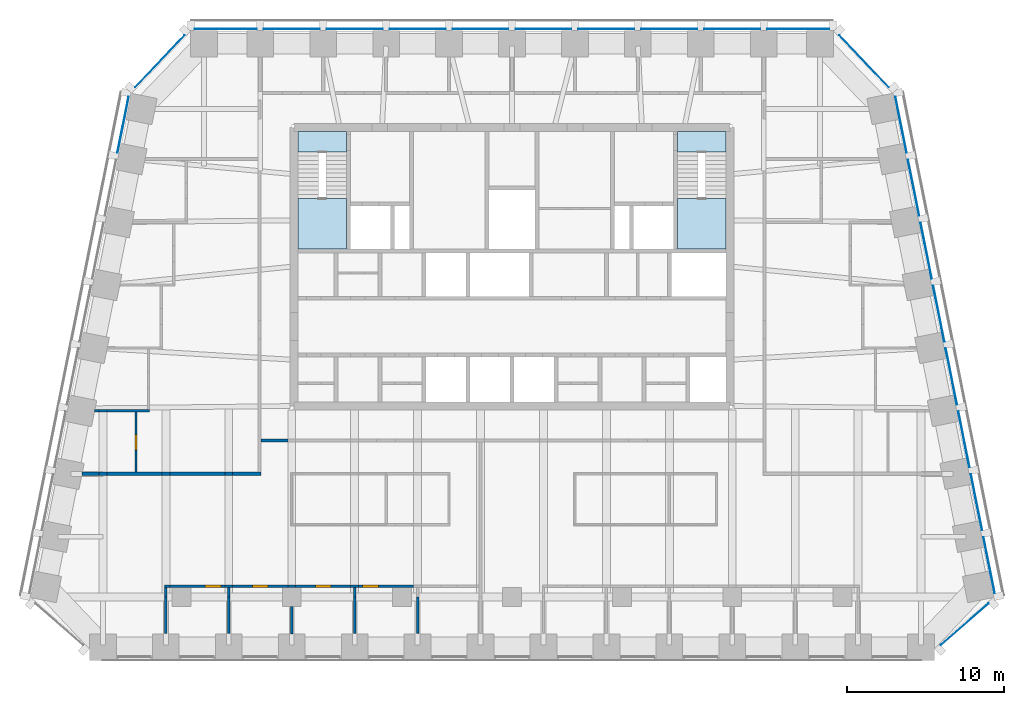
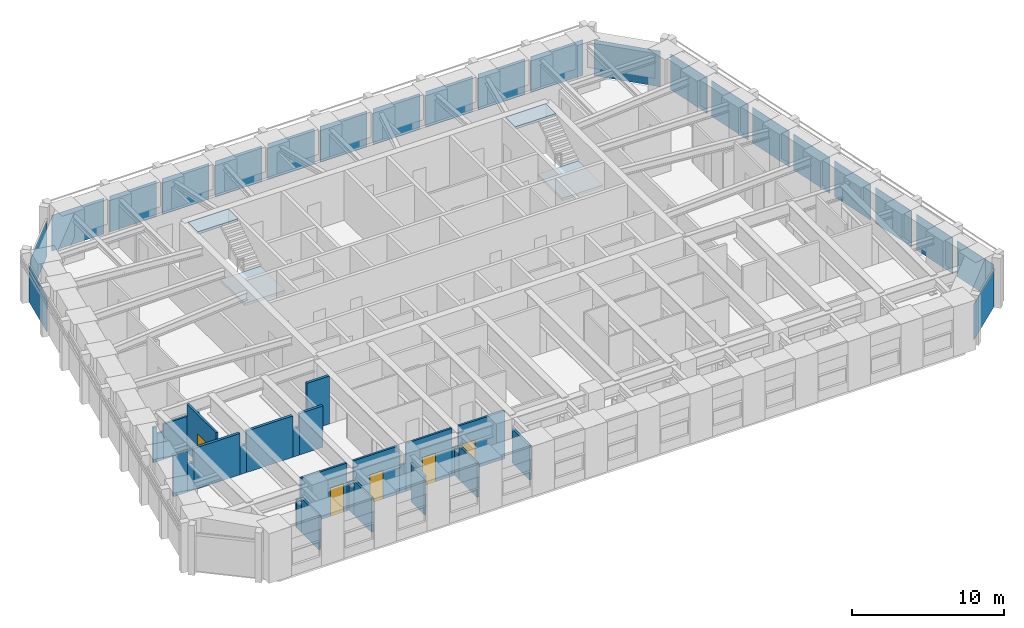
# One storey, part 4 of 13: 28 walls, 22 plates, 5 doors, 4 slabs, 5 openings, 8 elements without a shape of their own.
"""IFC4 building model written with IfcOpenShell, lengths in metres."""

from ifc_helpers import new_model, si_unit, direction, frame, frame_2d, origin, origin_2d, place, context, subcontext, project, spatial, polyline, rectangle, outline, extrude, material, layer, layer_set, type_object, element, fill, aggregate, save


model = new_model("IFC4")

# Units and contexts
model_context = context("Model", 3, precision=1e-05, world=origin(), true_north=direction((0.0, 1.0)))
body_context = subcontext(model_context, "Body", "Model", "MODEL_VIEW")
ifc_project = project(units=[si_unit("LENGTHUNIT", "METRE"), si_unit("AREAUNIT", "SQUARE_METRE"), si_unit("VOLUMEUNIT", "CUBIC_METRE"), si_unit("PLANEANGLEUNIT", "RADIAN"), si_unit("MASSUNIT", "GRAM", prefix="KILO")], contexts=[model_context])

# Site, building, storey
site_placement = place(None, origin())
site = spatial("IfcSite", under=ifc_project, at=site_placement, CompositionType="ELEMENT")
building_placement = place(site_placement, origin())
building = spatial("IfcBuilding", under=site, at=building_placement, Name="Isbrekke Arena Tower", CompositionType="ELEMENT")
storey_placement = place(building_placement, frame((0.0, 0.0, 280.0)))
storey = spatial("IfcBuildingStorey", under=building, at=storey_placement, Name="L65", CompositionType="ELEMENT", Elevation=280.0)

# Curtain wall, plate
ifc_material_1 = material(Name="Glazed aluminium curtain wall", Category="aluminium")
curtain_wall_type = type_object("IfcCurtainWallType", Name="CWT TOWER CURTAIN WALL TOP ZONE", PredefinedType="USERDEFINED", material=ifc_material_1)
curtain_wall_1_placement = place(storey_placement, origin())
curtain_wall_1 = element("IfcCurtainWall", 1, at=curtain_wall_1_placement, inside=storey, type_object=curtain_wall_type, Name="CWT curtain wall L65-SE", ObjectType="TOWER CURTAIN WALL TOP ZONE", PredefinedType="USERDEFINED")
ifc_material_2 = material(Name="Triple-glazed clear glass unit", Category="glass")
ifc_layer_1 = layer(ifc_material_2, 0.031982421875)
ifc_layer_set_1 = layer_set([ifc_layer_1], Name="CWT-P VISION PANEL")
plate_type = type_object("IfcPlateType", Name="CWT-P VISION PANEL", PredefinedType="CURTAIN_PANEL", material=ifc_layer_set_1)
plate_1_placement = place(storey_placement, frame((28.7724609375, -7.7216796875, 0.02001953125), z_axis=(0.0, 0.0, 1.0), x_axis=(0.754605522159, 0.65617871493, 0.0)))
plate_1 = element("IfcPlate", 2, at=plate_1_placement, type_object=plate_type, Name="CWT-P panel 1", PredefinedType="CURTAIN_PANEL", context=body_context, shape_type="SweptSolid", body=[
    extrude(rectangle(XDim=4.0283203125, YDim=0.031982421875, at=origin_2d()), origin(), (0.0, 0.0, 1.0), 2.8798828125),
])
aggregate(curtain_wall_1, [plate_1])

# Curtain wall, plates
curtain_wall_2_placement = place(storey_placement, origin())
curtain_wall_2 = element("IfcCurtainWall", 3, at=curtain_wall_2_placement, inside=storey, type_object=curtain_wall_type, Name="CWT curtain wall L65-E", ObjectType="TOWER CURTAIN WALL TOP ZONE", PredefinedType="USERDEFINED")
plate_2_placement = place(storey_placement, frame((30.322509765625, -3.9755859375, 0.02001953125), z_axis=(0.0, 0.0, 1.0), x_axis=(-0.196116135138, 0.980580675691, 0.0)))
plate_2 = element("IfcPlate", 4, at=plate_2_placement, type_object=plate_type, Name="CWT-P panel 1", PredefinedType="CURTAIN_PANEL", context=body_context, shape_type="SweptSolid", body=[
    extrude(rectangle(XDim=3.629150390625, YDim=0.031982421875, at=origin_2d()), origin(), (0.0, 0.0, 1.0), 2.8798828125),
])
plate_3_placement = place(storey_placement, frame((29.5224609375, 0.0244140625, 0.02001953125), z_axis=(0.0, 0.0, 1.0), x_axis=(-0.196116135138, 0.980580675691, 0.0)))
plate_3 = element("IfcPlate", 5, at=plate_3_placement, type_object=plate_type, Name="CWT-P panel 2", PredefinedType="CURTAIN_PANEL", context=body_context, shape_type="SweptSolid", body=[
    extrude(rectangle(XDim=3.629150390625, YDim=0.031982421875, at=origin_2d()), origin(), (0.0, 0.0, 1.0), 2.8798828125),
])
plate_4_placement = place(storey_placement, frame((28.72265625, 4.0244140625, 0.02001953125), z_axis=(0.0, 0.0, 1.0), x_axis=(-0.196116135138, 0.980580675691, 0.0)))
plate_4 = element("IfcPlate", 6, at=plate_4_placement, type_object=plate_type, Name="CWT-P panel 3", PredefinedType="CURTAIN_PANEL", context=body_context, shape_type="SweptSolid", body=[
    extrude(rectangle(XDim=3.629150390625, YDim=0.031982421875, at=origin_2d()), origin(), (0.0, 0.0, 1.0), 2.8798828125),
])
plate_5_placement = place(storey_placement, frame((27.922607421875, 8.0244140625, 0.02001953125), z_axis=(0.0, 0.0, 1.0), x_axis=(-0.196116135138, 0.980580675691, 0.0)))
plate_5 = element("IfcPlate", 7, at=plate_5_placement, type_object=plate_type, Name="CWT-P panel 4", PredefinedType="CURTAIN_PANEL", context=body_context, shape_type="SweptSolid", body=[
    extrude(rectangle(XDim=3.629150390625, YDim=0.031982421875, at=origin_2d()), origin(), (0.0, 0.0, 1.0), 2.8798828125),
])
plate_6_placement = place(storey_placement, frame((27.12255859375, 12.0244140625, 0.02001953125), z_axis=(0.0, 0.0, 1.0), x_axis=(-0.196116135138, 0.980580675691, 0.0)))
plate_6 = element("IfcPlate", 8, at=plate_6_placement, type_object=plate_type, Name="CWT-P panel 5", PredefinedType="CURTAIN_PANEL", context=body_context, shape_type="SweptSolid", body=[
    extrude(rectangle(XDim=3.629150390625, YDim=0.031982421875, at=origin_2d()), origin(), (0.0, 0.0, 1.0), 2.8798828125),
])
plate_7_placement = place(storey_placement, frame((26.322509765625, 16.0244140625, 0.02001953125), z_axis=(0.0, 0.0, 1.0), x_axis=(-0.196116135138, 0.980580675691, 0.0)))
plate_7 = element("IfcPlate", 9, at=plate_7_placement, type_object=plate_type, Name="CWT-P panel 6", PredefinedType="CURTAIN_PANEL", context=body_context, shape_type="SweptSolid", body=[
    extrude(rectangle(XDim=3.629150390625, YDim=0.031982421875, at=origin_2d()), origin(), (0.0, 0.0, 1.0), 2.8798828125),
])
plate_8_placement = place(storey_placement, frame((25.5224609375, 20.0244140625, 0.02001953125), z_axis=(0.0, 0.0, 1.0), x_axis=(-0.196116135138, 0.980580675691, 0.0)))
plate_8 = element("IfcPlate", 10, at=plate_8_placement, type_object=plate_type, Name="CWT-P panel 7", PredefinedType="CURTAIN_PANEL", context=body_context, shape_type="SweptSolid", body=[
    extrude(rectangle(XDim=3.629150390625, YDim=0.031982421875, at=origin_2d()), origin(), (0.0, 0.0, 1.0), 2.8798828125),
])
plate_9_placement = place(storey_placement, frame((24.72265625, 24.0244140625, 0.02001953125), z_axis=(0.0, 0.0, 1.0), x_axis=(-0.196116135138, 0.980580675691, 0.0)))
plate_9 = element("IfcPlate", 11, at=plate_9_placement, type_object=plate_type, Name="CWT-P panel 8", PredefinedType="CURTAIN_PANEL", context=body_context, shape_type="SweptSolid", body=[
    extrude(rectangle(XDim=3.629150390625, YDim=0.031982421875, at=origin_2d()), origin(), (0.0, 0.0, 1.0), 2.8798828125),
])
aggregate(curtain_wall_2, [plate_2, plate_3, plate_4, plate_5, plate_6, plate_7, plate_8, plate_9])

# Curtain wall, plate
curtain_wall_3_placement = place(storey_placement, origin())
curtain_wall_3 = element("IfcCurtainWall", 12, at=curtain_wall_3_placement, inside=storey, type_object=curtain_wall_type, Name="CWT curtain wall L65-EN", ObjectType="TOWER CURTAIN WALL TOP ZONE", PredefinedType="USERDEFINED")
plate_10_placement = place(storey_placement, frame((22.374755859375, 28.06640625, 0.02001953125), z_axis=(0.0, 0.0, 1.0), x_axis=(-0.68874946192, 0.72499943359, 0.0)))
plate_10 = element("IfcPlate", 13, at=plate_10_placement, type_object=plate_type, Name="CWT-P panel 1", PredefinedType="CURTAIN_PANEL", context=body_context, shape_type="SweptSolid", body=[
    extrude(rectangle(XDim=4.558349609375, YDim=0.031982421875, at=origin_2d()), origin(), (0.0, 0.0, 1.0), 2.8798828125),
])
aggregate(curtain_wall_3, [plate_10])

# Curtain wall, plates
curtain_wall_4_placement = place(storey_placement, origin())
curtain_wall_4 = element("IfcCurtainWall", 14, at=curtain_wall_4_placement, inside=storey, type_object=curtain_wall_type, Name="CWT curtain wall L65-N", ObjectType="TOWER CURTAIN WALL TOP ZONE", PredefinedType="USERDEFINED")
plate_11_placement = place(storey_placement, frame((18.199951171875, 30.125, 0.02001953125), z_axis=(0.0, 0.0, 1.0), x_axis=(-1.0, 0.0, 0.0)))
plate_11 = element("IfcPlate", 15, at=plate_11_placement, type_object=plate_type, Name="CWT-P panel 1", PredefinedType="CURTAIN_PANEL", context=body_context, shape_type="SweptSolid", body=[
    extrude(rectangle(XDim=3.949951171875, YDim=0.031982421875, at=origin_2d()), origin(), (0.0, 0.0, 1.0), 2.8798828125),
])
plate_12_placement = place(storey_placement, frame((14.0, 30.125, 0.02001953125), z_axis=(0.0, 0.0, 1.0), x_axis=(-1.0, 0.0, 0.0)))
plate_12 = element("IfcPlate", 16, at=plate_12_placement, type_object=plate_type, Name="CWT-P panel 2", PredefinedType="CURTAIN_PANEL", context=body_context, shape_type="SweptSolid", body=[
    extrude(rectangle(XDim=3.550048828125, YDim=0.031982421875, at=origin_2d()), origin(), (0.0, 0.0, 1.0), 2.8798828125),
])
plate_13_placement = place(storey_placement, frame((10.0, 30.125, 0.02001953125), z_axis=(0.0, 0.0, 1.0), x_axis=(-1.0, 0.0, 0.0)))
plate_13 = element("IfcPlate", 17, at=plate_13_placement, type_object=plate_type, Name="CWT-P panel 3", PredefinedType="CURTAIN_PANEL", context=body_context, shape_type="SweptSolid", body=[
    extrude(rectangle(XDim=3.550048828125, YDim=0.031982421875, at=origin_2d()), origin(), (0.0, 0.0, 1.0), 2.8798828125),
])
plate_14_placement = place(storey_placement, frame((6.0, 30.125, 0.02001953125), z_axis=(0.0, 0.0, 1.0), x_axis=(-1.0, 0.0, 0.0)))
plate_14 = element("IfcPlate", 18, at=plate_14_placement, type_object=plate_type, Name="CWT-P panel 4", PredefinedType="CURTAIN_PANEL", context=body_context, shape_type="SweptSolid", body=[
    extrude(rectangle(XDim=3.550048828125, YDim=0.031982421875, at=origin_2d()), origin(), (0.0, 0.0, 1.0), 2.8798828125),
])
plate_15_placement = place(storey_placement, frame((2.0, 30.125, 0.02001953125), z_axis=(0.0, 0.0, 1.0), x_axis=(-1.0, 0.0, 0.0)))
plate_15 = element("IfcPlate", 19, at=plate_15_placement, type_object=plate_type, Name="CWT-P panel 5", PredefinedType="CURTAIN_PANEL", context=body_context, shape_type="SweptSolid", body=[
    extrude(rectangle(XDim=3.550048828125, YDim=0.031982421875, at=origin_2d()), origin(), (0.0, 0.0, 1.0), 2.8798828125),
])
plate_16_placement = place(storey_placement, frame((-2.0, 30.125, 0.02001953125), z_axis=(0.0, 0.0, 1.0), x_axis=(-1.0, 0.0, 0.0)))
plate_16 = element("IfcPlate", 20, at=plate_16_placement, type_object=plate_type, Name="CWT-P panel 6", PredefinedType="CURTAIN_PANEL", context=body_context, shape_type="SweptSolid", body=[
    extrude(rectangle(XDim=3.550048828125, YDim=0.031982421875, at=origin_2d()), origin(), (0.0, 0.0, 1.0), 2.8798828125),
])
plate_17_placement = place(storey_placement, frame((-6.0, 30.125, 0.02001953125), z_axis=(0.0, 0.0, 1.0), x_axis=(-1.0, 0.0, 0.0)))
plate_17 = element("IfcPlate", 21, at=plate_17_placement, type_object=plate_type, Name="CWT-P panel 7", PredefinedType="CURTAIN_PANEL", context=body_context, shape_type="SweptSolid", body=[
    extrude(rectangle(XDim=3.550048828125, YDim=0.031982421875, at=origin_2d()), origin(), (0.0, 0.0, 1.0), 2.8798828125),
])
plate_18_placement = place(storey_placement, frame((-10.0, 30.125, 0.02001953125), z_axis=(0.0, 0.0, 1.0), x_axis=(-1.0, 0.0, 0.0)))
plate_18 = element("IfcPlate", 22, at=plate_18_placement, type_object=plate_type, Name="CWT-P panel 8", PredefinedType="CURTAIN_PANEL", context=body_context, shape_type="SweptSolid", body=[
    extrude(rectangle(XDim=3.550048828125, YDim=0.031982421875, at=origin_2d()), origin(), (0.0, 0.0, 1.0), 2.8798828125),
])
plate_19_placement = place(storey_placement, frame((-14.0, 30.125, 0.02001953125), z_axis=(0.0, 0.0, 1.0), x_axis=(-1.0, 0.0, 0.0)))
plate_19 = element("IfcPlate", 23, at=plate_19_placement, type_object=plate_type, Name="CWT-P panel 9", PredefinedType="CURTAIN_PANEL", context=body_context, shape_type="SweptSolid", body=[
    extrude(rectangle(XDim=3.550048828125, YDim=0.031982421875, at=origin_2d()), origin(), (0.0, 0.0, 1.0), 2.8798828125),
])
plate_20_placement = place(storey_placement, frame((-18.199951171875, 30.125, 0.02001953125), z_axis=(0.0, 0.0, 1.0), x_axis=(-1.0, 0.0, 0.0)))
plate_20 = element("IfcPlate", 24, at=plate_20_placement, type_object=plate_type, Name="CWT-P panel 10", PredefinedType="CURTAIN_PANEL", context=body_context, shape_type="SweptSolid", body=[
    extrude(rectangle(XDim=3.949951171875, YDim=0.031982421875, at=origin_2d()), origin(), (0.0, 0.0, 1.0), 2.8798828125),
])
aggregate(curtain_wall_4, [plate_11, plate_12, plate_13, plate_14, plate_15, plate_16, plate_17, plate_18, plate_19, plate_20])

# Curtain wall, plate
curtain_wall_5_placement = place(storey_placement, origin())
curtain_wall_5 = element("IfcCurtainWall", 25, at=curtain_wall_5_placement, inside=storey, type_object=curtain_wall_type, Name="CWT curtain wall L65-NW", ObjectType="TOWER CURTAIN WALL TOP ZONE", PredefinedType="USERDEFINED")
plate_21_placement = place(storey_placement, frame((-22.37451171875, 28.066650390625, 0.02001953125), z_axis=(0.0, 0.0, 1.0), x_axis=(-0.68874946192, -0.72499943359, 0.0)))
plate_21 = element("IfcPlate", 26, at=plate_21_placement, type_object=plate_type, Name="CWT-P panel 1", PredefinedType="CURTAIN_PANEL", context=body_context, shape_type="SweptSolid", body=[
    extrude(rectangle(XDim=4.557373046875, YDim=0.031982421875, at=origin_2d()), origin(), (0.0, 0.0, 1.0), 2.8798828125),
])
aggregate(curtain_wall_5, [plate_21])

curtain_wall_6_placement = place(storey_placement, origin())
curtain_wall_6 = element("IfcCurtainWall", 27, at=curtain_wall_6_placement, inside=storey, type_object=curtain_wall_type, Name="CWT curtain wall L65-W", ObjectType="TOWER CURTAIN WALL TOP ZONE", PredefinedType="USERDEFINED")
plate_22_placement = place(storey_placement, frame((-24.72265625, 24.0244140625, 0.02001953125), z_axis=(0.0, 0.0, 1.0), x_axis=(-0.196116135138, -0.980580675691, 0.0)))
plate_22 = element("IfcPlate", 28, at=plate_22_placement, type_object=plate_type, Name="CWT-P panel 1", PredefinedType="CURTAIN_PANEL", context=body_context, shape_type="SweptSolid", body=[
    extrude(rectangle(XDim=3.629150390625, YDim=0.031982421875, at=origin_2d()), origin(), (0.0, 0.0, 1.0), 2.8798828125),
])
aggregate(curtain_wall_6, [plate_22])

# Stair, slabs
ifc_material_3 = material(Name="Concrete B45 (C45/55) precast", Category="concrete")
stair_type = type_object("IfcStairType", Name="ST40 STAIR 1300 WIDE, 24 RISERS 167", PredefinedType="HALF_TURN_STAIR", material=ifc_material_3)
stair_1_placement = place(storey_placement, origin())
stair_1 = element("IfcStair", 29, at=stair_1_placement, inside=storey, type_object=stair_type, Name="ST1 stair L65", PredefinedType="HALF_TURN_STAIR")
ifc_material_4 = material(Name="Concrete B35 (C35/45)", Category="concrete")
ifc_layer_2 = layer(ifc_material_4, 0.199951171875)
ifc_layer_set_2 = layer_set([ifc_layer_2], Name="SL1 STAIR LANDING 200")
slab_type = type_object("IfcSlabType", Name="SL1 STAIR LANDING 200", PredefinedType="LANDING", material=ifc_layer_set_2)
slab_1_placement = place(storey_placement, frame((0.0, 0.0, 1.800048828125)))
slab_1 = element("IfcSlab", 30, at=slab_1_placement, type_object=slab_type, Name="ST1 landing 1", PredefinedType="LANDING", context=body_context, shape_type="SweptSolid", body=[
    extrude(outline(polyline([(-13.60009765625, 16.125), (-10.52490234375, 16.125), (-10.52490234375, 19.330078125), (-13.60009765625, 19.330078125), (-13.60009765625, 16.125)])), origin(), (0.0, 0.0, 1.0), 0.199951171875),
])
slab_2_placement = place(storey_placement, frame((0.0, 0.0, 3.800048828125)))
slab_2 = element("IfcSlab", 31, at=slab_2_placement, type_object=slab_type, Name="ST1 landing 2", PredefinedType="LANDING", context=body_context, shape_type="SweptSolid", body=[
    extrude(outline(polyline([(-13.60009765625, 22.300048828125), (-10.52490234375, 22.300048828125), (-10.52490234375, 23.60009765625), (-13.60009765625, 23.60009765625), (-13.60009765625, 22.300048828125)])), origin(), (0.0, 0.0, 1.0), 0.199951171875),
])
aggregate(stair_1, [slab_1, slab_2])

stair_2_placement = place(storey_placement, origin())
stair_2 = element("IfcStair", 32, at=stair_2_placement, inside=storey, type_object=stair_type, Name="ST2 stair L65", PredefinedType="HALF_TURN_STAIR")
slab_3_placement = place(storey_placement, frame((0.0, 0.0, 1.800048828125)))
slab_3 = element("IfcSlab", 33, at=slab_3_placement, type_object=slab_type, Name="ST2 landing 1", PredefinedType="LANDING", context=body_context, shape_type="SweptSolid", body=[
    extrude(outline(polyline([(10.52490234375, 16.125), (13.60009765625, 16.125), (13.60009765625, 19.330078125), (10.52490234375, 19.330078125), (10.52490234375, 16.125)])), origin(), (0.0, 0.0, 1.0), 0.199951171875),
])
slab_4_placement = place(storey_placement, frame((0.0, 0.0, 3.800048828125)))
slab_4 = element("IfcSlab", 34, at=slab_4_placement, type_object=slab_type, Name="ST2 landing 2", PredefinedType="LANDING", context=body_context, shape_type="SweptSolid", body=[
    extrude(outline(polyline([(10.52490234375, 22.300048828125), (13.60009765625, 22.300048828125), (13.60009765625, 23.60009765625), (10.52490234375, 23.60009765625), (10.52490234375, 22.300048828125)])), origin(), (0.0, 0.0, 1.0), 0.199951171875),
])
aggregate(stair_2, [slab_3, slab_4])

# Wall
ifc_material_5 = material(Name="Gypsum board partition on steel studs", Category="steel")
ifc_layer_3 = layer(ifc_material_5, 0.14990234375)
ifc_layer_set_3 = layer_set([ifc_layer_3], Name="IW1 PARTITION 150")
wall_type_1 = type_object("IfcWallType", Name="IW1 PARTITION 150", PredefinedType="PARTITIONING", material=ifc_layer_set_3)
wall_1_placement = place(storey_placement, frame((-22.074951171875, -5.300048828125, 0.0), z_axis=(0.0, 0.0, 1.0), x_axis=(1.0, 0.0, 0.0)))
element("IfcWall", 35, at=wall_1_placement, inside=storey, type_object=wall_type_1, Name="IW1 partition 150 L65", PredefinedType="PARTITIONING", context=body_context, shape_type="SweptSolid", body=[
    extrude(rectangle(XDim=0.324951171875, YDim=0.14990234375, at=frame_2d((0.16259765625, 0.0))), origin(), (0.0, 0.0, 1.0), 2.25),
])

# Wall, opening, door
wall_2_placement = place(storey_placement, frame((-21.75, -5.300048828125, 0.0), z_axis=(0.0, 0.0, 1.0), x_axis=(1.0, 0.0, 0.0)))
wall_2 = element("IfcWall", 36, at=wall_2_placement, inside=storey, type_object=wall_type_1, Name="IW1 partition 150 L65", PredefinedType="PARTITIONING", context=body_context, shape_type="SweptSolid", body=[
    extrude(rectangle(XDim=3.5, YDim=0.14990234375, at=frame_2d((1.75, 0.0))), origin(), (0.0, 0.0, 1.0), 3.85009765625),
])
opening_1_placement = place(wall_2_placement, frame((2.25, 0.0, 0.0)))
opening_1 = element("IfcOpeningElement", 37, at=opening_1_placement, cuts=wall_2, Name="Opening D10", PredefinedType="OPENING", context=body_context, shape_type="SweptSolid", body=[
    extrude(rectangle(XDim=1.0, YDim=2.300048828125, at=frame_2d((0.5, 1.14990234375))), frame((0.0, 0.08984375, 0.0), z_axis=(0.0, -1.0, 0.0), x_axis=(1.0, 0.0, 0.0)), (0.0, 0.0, 1.0), 0.1796875),
])
ifc_material_6 = material(Name="Timber door", Category="wood")
door_type = type_object("IfcDoorType", Name="D10 OFFICE DOOR 1000 x 2300", OperationType="SINGLE_SWING_LEFT", PredefinedType="DOOR", material=ifc_material_6)
door_1_placement = place(opening_1_placement, origin())
door_1 = element("IfcDoor", 38, at=door_1_placement, inside=storey, type_object=door_type, Name="D10 office door L65", OperationType="SINGLE_SWING_LEFT", OverallHeight=2.300048828125, OverallWidth=1.0, PredefinedType="DOOR", context=body_context, shape_type="SweptSolid", body=[
    extrude(rectangle(XDim=1.0, YDim=2.300048828125, at=frame_2d((0.5, 1.14990234375))), frame((0.0, 0.07470703125, 0.0), z_axis=(0.0, -1.0, 0.0), x_axis=(1.0, 0.0, 0.0)), (0.0, 0.0, 1.0), 0.1494140625),
])
fill(opening_1, door_1)

# Wall
wall_3_placement = place(storey_placement, frame((-18.25, -5.300048828125, 0.0), z_axis=(0.0, 0.0, 1.0), x_axis=(1.0, 0.0, 0.0)))
element("IfcWall", 39, at=wall_3_placement, inside=storey, type_object=wall_type_1, Name="IW1 partition 150 L65", PredefinedType="PARTITIONING", context=body_context, shape_type="SweptSolid", body=[
    extrude(rectangle(XDim=0.5, YDim=0.14990234375, at=frame_2d((0.25, 0.0))), origin(), (0.0, 0.0, 1.0), 2.25),
])

# Wall, opening, door
wall_4_placement = place(storey_placement, frame((-17.75, -5.300048828125, 0.0), z_axis=(0.0, 0.0, 1.0), x_axis=(1.0, 0.0, 0.0)))
wall_4 = element("IfcWall", 40, at=wall_4_placement, inside=storey, type_object=wall_type_1, Name="IW1 partition 150 L65", PredefinedType="PARTITIONING", context=body_context, shape_type="SweptSolid", body=[
    extrude(rectangle(XDim=3.5, YDim=0.14990234375, at=frame_2d((1.75, 0.0))), origin(), (0.0, 0.0, 1.0), 3.85009765625),
])
opening_2_placement = place(wall_4_placement, frame((1.25, 0.0, 0.0)))
opening_2 = element("IfcOpeningElement", 41, at=opening_2_placement, cuts=wall_4, Name="Opening D10", PredefinedType="OPENING", context=body_context, shape_type="SweptSolid", body=[
    extrude(rectangle(XDim=1.0, YDim=2.300048828125, at=frame_2d((0.5, 1.14990234375))), frame((0.0, 0.08984375, 0.0), z_axis=(0.0, -1.0, 0.0), x_axis=(1.0, 0.0, 0.0)), (0.0, 0.0, 1.0), 0.1796875),
])
door_2_placement = place(opening_2_placement, origin())
door_2 = element("IfcDoor", 42, at=door_2_placement, inside=storey, type_object=door_type, Name="D10 office door L65", OperationType="SINGLE_SWING_LEFT", OverallHeight=2.300048828125, OverallWidth=1.0, PredefinedType="DOOR", context=body_context, shape_type="SweptSolid", body=[
    extrude(rectangle(XDim=1.0, YDim=2.300048828125, at=frame_2d((0.5, 1.14990234375))), frame((0.0, 0.07470703125, 0.0), z_axis=(0.0, -1.0, 0.0), x_axis=(1.0, 0.0, 0.0)), (0.0, 0.0, 1.0), 0.1494140625),
])
fill(opening_2, door_2)

# Wall
wall_5_placement = place(storey_placement, frame((-14.25, -5.300048828125, 0.0), z_axis=(0.0, 0.0, 1.0), x_axis=(1.0, 0.0, 0.0)))
element("IfcWall", 43, at=wall_5_placement, inside=storey, type_object=wall_type_1, Name="IW1 partition 150 L65", PredefinedType="PARTITIONING", context=body_context, shape_type="SweptSolid", body=[
    extrude(rectangle(XDim=0.5, YDim=0.14990234375, at=frame_2d((0.25, 0.0))), origin(), (0.0, 0.0, 1.0), 2.25),
])

# Wall, opening, door
wall_6_placement = place(storey_placement, frame((-13.75, -5.300048828125, 0.0), z_axis=(0.0, 0.0, 1.0), x_axis=(1.0, 0.0, 0.0)))
wall_6 = element("IfcWall", 44, at=wall_6_placement, inside=storey, type_object=wall_type_1, Name="IW1 partition 150 L65", PredefinedType="PARTITIONING", context=body_context, shape_type="SweptSolid", body=[
    extrude(rectangle(XDim=3.5, YDim=0.14990234375, at=frame_2d((1.75, 0.0))), origin(), (0.0, 0.0, 1.0), 3.85009765625),
])
opening_3_placement = place(wall_6_placement, frame((1.25, 0.0, 0.0)))
opening_3 = element("IfcOpeningElement", 45, at=opening_3_placement, cuts=wall_6, Name="Opening D10", PredefinedType="OPENING", context=body_context, shape_type="SweptSolid", body=[
    extrude(rectangle(XDim=1.0, YDim=2.300048828125, at=frame_2d((0.5, 1.14990234375))), frame((0.0, 0.08984375, 0.0), z_axis=(0.0, -1.0, 0.0), x_axis=(1.0, 0.0, 0.0)), (0.0, 0.0, 1.0), 0.1796875),
])
door_3_placement = place(opening_3_placement, origin())
door_3 = element("IfcDoor", 46, at=door_3_placement, inside=storey, type_object=door_type, Name="D10 office door L65", OperationType="SINGLE_SWING_LEFT", OverallHeight=2.300048828125, OverallWidth=1.0, PredefinedType="DOOR", context=body_context, shape_type="SweptSolid", body=[
    extrude(rectangle(XDim=1.0, YDim=2.300048828125, at=frame_2d((0.5, 1.14990234375))), frame((0.0, 0.07470703125, 0.0), z_axis=(0.0, -1.0, 0.0), x_axis=(1.0, 0.0, 0.0)), (0.0, 0.0, 1.0), 0.1494140625),
])
fill(opening_3, door_3)

# Wall
wall_7_placement = place(storey_placement, frame((-10.25, -5.300048828125, 0.0), z_axis=(0.0, 0.0, 1.0), x_axis=(1.0, 0.0, 0.0)))
element("IfcWall", 47, at=wall_7_placement, inside=storey, type_object=wall_type_1, Name="IW1 partition 150 L65", PredefinedType="PARTITIONING", context=body_context, shape_type="SweptSolid", body=[
    extrude(rectangle(XDim=0.5, YDim=0.14990234375, at=frame_2d((0.25, 0.0))), origin(), (0.0, 0.0, 1.0), 2.25),
])

# Wall, opening, door
wall_8_placement = place(storey_placement, frame((-9.75, -5.300048828125, 0.0), z_axis=(0.0, 0.0, 1.0), x_axis=(1.0, 0.0, 0.0)))
wall_8 = element("IfcWall", 48, at=wall_8_placement, inside=storey, type_object=wall_type_1, Name="IW1 partition 150 L65", PredefinedType="PARTITIONING", context=body_context, shape_type="SweptSolid", body=[
    extrude(rectangle(XDim=3.5, YDim=0.14990234375, at=frame_2d((1.75, 0.0))), origin(), (0.0, 0.0, 1.0), 3.85009765625),
])
opening_4_placement = place(wall_8_placement, frame((0.25, 0.0, 0.0)))
opening_4 = element("IfcOpeningElement", 49, at=opening_4_placement, cuts=wall_8, Name="Opening D10", PredefinedType="OPENING", context=body_context, shape_type="SweptSolid", body=[
    extrude(rectangle(XDim=1.0, YDim=2.300048828125, at=frame_2d((0.5, 1.14990234375))), frame((0.0, 0.08984375, 0.0), z_axis=(0.0, -1.0, 0.0), x_axis=(1.0, 0.0, 0.0)), (0.0, 0.0, 1.0), 0.1796875),
])
door_4_placement = place(opening_4_placement, origin())
door_4 = element("IfcDoor", 50, at=door_4_placement, inside=storey, type_object=door_type, Name="D10 office door L65", OperationType="SINGLE_SWING_LEFT", OverallHeight=2.300048828125, OverallWidth=1.0, PredefinedType="DOOR", context=body_context, shape_type="SweptSolid", body=[
    extrude(rectangle(XDim=1.0, YDim=2.300048828125, at=frame_2d((0.5, 1.14990234375))), frame((0.0, 0.07470703125, 0.0), z_axis=(0.0, -1.0, 0.0), x_axis=(1.0, 0.0, 0.0)), (0.0, 0.0, 1.0), 0.1494140625),
])
fill(opening_4, door_4)

# Walls
wall_9_placement = place(storey_placement, frame((-26.523681640625, 5.840087890625, 0.0), z_axis=(0.0, 0.0, 1.0), x_axis=(1.0, 0.0, 0.0)))
element("IfcWall", 51, at=wall_9_placement, inside=storey, type_object=wall_type_1, Name="IW1 partition 150 L65", PredefinedType="PARTITIONING", context=body_context, shape_type="SweptSolid", body=[
    extrude(rectangle(XDim=0.273681640625, YDim=0.14990234375, at=frame_2d((0.13671875, 0.0))), origin(), (0.0, 0.0, 1.0), 2.842041015625),
])
wall_10_placement = place(storey_placement, frame((-26.25, 5.840087890625, 0.0), z_axis=(0.0, 0.0, 1.0), x_axis=(1.0, 0.0, 0.0)))
element("IfcWall", 52, at=wall_10_placement, inside=storey, type_object=wall_type_1, Name="IW1 partition 150 L65", PredefinedType="PARTITIONING", context=body_context, shape_type="SweptSolid", body=[
    extrude(rectangle(XDim=0.5, YDim=0.14990234375, at=frame_2d((0.25, 0.0))), origin(), (0.0, 0.0, 1.0), 2.25),
])
wall_11_placement = place(storey_placement, frame((-25.75, 5.840087890625, 0.0), z_axis=(0.0, 0.0, 1.0), x_axis=(1.0, 0.0, 0.0)))
element("IfcWall", 53, at=wall_11_placement, inside=storey, type_object=wall_type_1, Name="IW1 partition 150 L65", PredefinedType="PARTITIONING", context=body_context, shape_type="SweptSolid", body=[
    extrude(rectangle(XDim=2.72509765625, YDim=0.14990234375, at=frame_2d((1.362548828125, 0.0))), origin(), (0.0, 0.0, 1.0), 2.842041015625),
])

# Wall, opening, door
wall_12_placement = place(storey_placement, frame((-23.89990234375, 1.93994140625, 0.0), z_axis=(0.0, 0.0, 1.0), x_axis=(0.0, 1.0, 0.0)))
wall_12 = element("IfcWall", 54, at=wall_12_placement, inside=storey, type_object=wall_type_1, Name="IW1 partition 150 L65", PredefinedType="PARTITIONING", context=body_context, shape_type="SweptSolid", body=[
    extrude(rectangle(XDim=3.824951171875, YDim=0.14990234375, at=frame_2d((1.91259765625, 0.0))), origin(), (0.0, 0.0, 1.0), 3.85009765625),
])
opening_5_placement = place(wall_12_placement, frame((1.39990234375, 0.0, 0.0)))
opening_5 = element("IfcOpeningElement", 55, at=opening_5_placement, cuts=wall_12, Name="Opening D10", PredefinedType="OPENING", context=body_context, shape_type="SweptSolid", body=[
    extrude(rectangle(XDim=1.0, YDim=2.300048828125, at=frame_2d((0.5, 1.14990234375))), frame((0.0, 0.08984375, 0.0), z_axis=(0.0, -1.0, 0.0), x_axis=(1.0, 0.0, 0.0)), (0.0, 0.0, 1.0), 0.1796875),
])
door_5_placement = place(opening_5_placement, origin())
door_5 = element("IfcDoor", 56, at=door_5_placement, inside=storey, type_object=door_type, Name="D10 office door L65", OperationType="SINGLE_SWING_LEFT", OverallHeight=2.300048828125, OverallWidth=1.0, PredefinedType="DOOR", context=body_context, shape_type="SweptSolid", body=[
    extrude(rectangle(XDim=1.0, YDim=2.300048828125, at=frame_2d((0.5, 1.14990234375))), frame((0.0, 0.07470703125, 0.0), z_axis=(0.0, -1.0, 0.0), x_axis=(1.0, 0.0, 0.0)), (0.0, 0.0, 1.0), 0.1494140625),
])
fill(opening_5, door_5)

# Walls
wall_13_placement = place(storey_placement, frame((-22.0, -8.324951171875, 0.0), z_axis=(0.0, 0.0, 1.0), x_axis=(0.0, 1.0, 0.0)))
element("IfcWall", 57, at=wall_13_placement, inside=storey, type_object=wall_type_1, Name="IW1 partition 150 L65", PredefinedType="PARTITIONING", context=body_context, shape_type="SweptSolid", body=[
    extrude(rectangle(XDim=2.324951171875, YDim=0.14990234375, at=frame_2d((1.16259765625, 0.0))), origin(), (0.0, 0.0, 1.0), 2.75),
])
wall_14_placement = place(storey_placement, frame((-22.0, -6.0, 0.0), z_axis=(0.0, 0.0, 1.0), x_axis=(0.0, 1.0, 0.0)))
element("IfcWall", 58, at=wall_14_placement, inside=storey, type_object=wall_type_1, Name="IW1 partition 150 L65", PredefinedType="PARTITIONING", context=body_context, shape_type="SweptSolid", body=[
    extrude(rectangle(XDim=0.625, YDim=0.14990234375, at=frame_2d((0.3125, 0.0))), origin(), (0.0, 0.0, 1.0), 2.25),
])
wall_15_placement = place(storey_placement, frame((-18.0, -8.324951171875, 0.0), z_axis=(0.0, 0.0, 1.0), x_axis=(0.0, 1.0, 0.0)))
element("IfcWall", 59, at=wall_15_placement, inside=storey, type_object=wall_type_1, Name="IW1 partition 150 L65", PredefinedType="PARTITIONING", context=body_context, shape_type="SweptSolid", body=[
    extrude(rectangle(XDim=2.324951171875, YDim=0.14990234375, at=frame_2d((1.16259765625, 0.0))), origin(), (0.0, 0.0, 1.0), 2.75),
])
wall_16_placement = place(storey_placement, frame((-18.0, -6.0, 0.0), z_axis=(0.0, 0.0, 1.0), x_axis=(0.0, 1.0, 0.0)))
element("IfcWall", 60, at=wall_16_placement, inside=storey, type_object=wall_type_1, Name="IW1 partition 150 L65", PredefinedType="PARTITIONING", context=body_context, shape_type="SweptSolid", body=[
    extrude(rectangle(XDim=0.625, YDim=0.14990234375, at=frame_2d((0.3125, 0.0))), origin(), (0.0, 0.0, 1.0), 2.25),
])
wall_17_placement = place(storey_placement, frame((-14.0, -8.324951171875, 0.0), z_axis=(0.0, 0.0, 1.0), x_axis=(0.0, 1.0, 0.0)))
element("IfcWall", 61, at=wall_17_placement, inside=storey, type_object=wall_type_1, Name="IW1 partition 150 L65", PredefinedType="PARTITIONING", context=body_context, shape_type="SweptSolid", body=[
    extrude(rectangle(XDim=1.724853515625, YDim=0.14990234375, at=frame_2d((0.8623046875, 0.0))), origin(), (0.0, 0.0, 1.0), 3.1298828125),
])
wall_18_placement = place(storey_placement, frame((-10.0, -8.324951171875, 0.0), z_axis=(0.0, 0.0, 1.0), x_axis=(0.0, 1.0, 0.0)))
element("IfcWall", 62, at=wall_18_placement, inside=storey, type_object=wall_type_1, Name="IW1 partition 150 L65", PredefinedType="PARTITIONING", context=body_context, shape_type="SweptSolid", body=[
    extrude(rectangle(XDim=2.324951171875, YDim=0.14990234375, at=frame_2d((1.16259765625, 0.0))), origin(), (0.0, 0.0, 1.0), 2.75),
])
wall_19_placement = place(storey_placement, frame((-10.0, -6.0, 0.0), z_axis=(0.0, 0.0, 1.0), x_axis=(0.0, 1.0, 0.0)))
element("IfcWall", 63, at=wall_19_placement, inside=storey, type_object=wall_type_1, Name="IW1 partition 150 L65", PredefinedType="PARTITIONING", context=body_context, shape_type="SweptSolid", body=[
    extrude(rectangle(XDim=0.625, YDim=0.14990234375, at=frame_2d((0.3125, 0.0))), origin(), (0.0, 0.0, 1.0), 2.25),
])
wall_20_placement = place(storey_placement, frame((-6.0, -8.324951171875, 0.0), z_axis=(0.0, 0.0, 1.0), x_axis=(0.0, 1.0, 0.0)))
element("IfcWall", 64, at=wall_20_placement, inside=storey, type_object=wall_type_1, Name="IW1 partition 150 L65", PredefinedType="PARTITIONING", context=body_context, shape_type="SweptSolid", body=[
    extrude(rectangle(XDim=2.324951171875, YDim=0.14990234375, at=frame_2d((1.16259765625, 0.0))), origin(), (0.0, 0.0, 1.0), 2.75),
])
ifc_material_7 = material(Name="Gypsum board fire-cell wall on steel studs, two layers each side", Category="steel")
ifc_layer_4 = layer(ifc_material_7, 0.199951171875)
ifc_layer_set_4 = layer_set([ifc_layer_4], Name="IW3 FIRE-CELL WALL 200")
wall_type_2 = type_object("IfcWallType", Name="IW3 FIRE-CELL WALL 200", PredefinedType="PARTITIONING", material=ifc_layer_set_4)
wall_21_placement = place(storey_placement, frame((-27.32373046875, 1.840087890625, 0.0), z_axis=(0.0, 0.0, 1.0), x_axis=(1.0, 0.0, 0.0)))
element("IfcWall", 65, at=wall_21_placement, inside=storey, type_object=wall_type_2, Name="IW3 fire-cell wall 200 L65", PredefinedType="PARTITIONING", context=body_context, shape_type="SweptSolid", body=[
    extrude(rectangle(XDim=1.07373046875, YDim=0.199951171875, at=frame_2d((0.536865234375, 0.0))), origin(), (0.0, 0.0, 1.0), 3.325927734375),
])
wall_22_placement = place(storey_placement, frame((-26.25, 1.840087890625, 0.0), z_axis=(0.0, 0.0, 1.0), x_axis=(1.0, 0.0, 0.0)))
element("IfcWall", 66, at=wall_22_placement, inside=storey, type_object=wall_type_2, Name="IW3 fire-cell wall 200 L65", PredefinedType="PARTITIONING", context=body_context, shape_type="SweptSolid", body=[
    extrude(rectangle(XDim=0.5, YDim=0.199951171875, at=frame_2d((0.25, 0.0))), origin(), (0.0, 0.0, 1.0), 2.25),
])
wall_23_placement = place(storey_placement, frame((-25.75, 1.840087890625, 0.0), z_axis=(0.0, 0.0, 1.0), x_axis=(1.0, 0.0, 0.0)))
element("IfcWall", 67, at=wall_23_placement, inside=storey, type_object=wall_type_2, Name="IW3 fire-cell wall 200 L65", PredefinedType="PARTITIONING", context=body_context, shape_type="SweptSolid", body=[
    extrude(rectangle(XDim=3.5, YDim=0.199951171875, at=frame_2d((1.75, 0.0))), origin(), (0.0, 0.0, 1.0), 3.325927734375),
])
wall_24_placement = place(storey_placement, frame((-22.25, 1.840087890625, 0.0), z_axis=(0.0, 0.0, 1.0), x_axis=(1.0, 0.0, 0.0)))
element("IfcWall", 68, at=wall_24_placement, inside=storey, type_object=wall_type_2, Name="IW3 fire-cell wall 200 L65", PredefinedType="PARTITIONING", context=body_context, shape_type="SweptSolid", body=[
    extrude(rectangle(XDim=0.5, YDim=0.199951171875, at=frame_2d((0.25, 0.0))), origin(), (0.0, 0.0, 1.0), 2.25),
])
wall_25_placement = place(storey_placement, frame((-21.75, 1.840087890625, 0.0), z_axis=(0.0, 0.0, 1.0), x_axis=(1.0, 0.0, 0.0)))
element("IfcWall", 69, at=wall_25_placement, inside=storey, type_object=wall_type_2, Name="IW3 fire-cell wall 200 L65", PredefinedType="PARTITIONING", context=body_context, shape_type="SweptSolid", body=[
    extrude(rectangle(XDim=3.5, YDim=0.199951171875, at=frame_2d((1.75, 0.0))), origin(), (0.0, 0.0, 1.0), 3.325927734375),
])
wall_26_placement = place(storey_placement, frame((-18.25, 1.840087890625, 0.0), z_axis=(0.0, 0.0, 1.0), x_axis=(1.0, 0.0, 0.0)))
element("IfcWall", 70, at=wall_26_placement, inside=storey, type_object=wall_type_2, Name="IW3 fire-cell wall 200 L65", PredefinedType="PARTITIONING", context=body_context, shape_type="SweptSolid", body=[
    extrude(rectangle(XDim=0.5, YDim=0.199951171875, at=frame_2d((0.25, 0.0))), origin(), (0.0, 0.0, 1.0), 2.25),
])
wall_27_placement = place(storey_placement, frame((-17.75, 1.840087890625, 0.0), z_axis=(0.0, 0.0, 1.0), x_axis=(1.0, 0.0, 0.0)))
element("IfcWall", 71, at=wall_27_placement, inside=storey, type_object=wall_type_2, Name="IW3 fire-cell wall 200 L65", PredefinedType="PARTITIONING", context=body_context, shape_type="SweptSolid", body=[
    extrude(rectangle(XDim=1.800048828125, YDim=0.199951171875, at=frame_2d((0.89990234375, 0.0))), origin(), (0.0, 0.0, 1.0), 3.325927734375),
])
wall_28_placement = place(storey_placement, frame((-15.949951171875, 3.949951171875, 0.0), z_axis=(0.0, 0.0, 1.0), x_axis=(1.0, 0.0, 0.0)))
element("IfcWall", 72, at=wall_28_placement, inside=storey, type_object=wall_type_2, Name="IW3 fire-cell wall 200 L65", PredefinedType="PARTITIONING", context=body_context, shape_type="SweptSolid", body=[
    extrude(rectangle(XDim=1.699951171875, YDim=0.199951171875, at=frame_2d((0.85009765625, 0.0))), origin(), (0.0, 0.0, 1.0), 3.85009765625),
])

save(model, "model.ifc")
